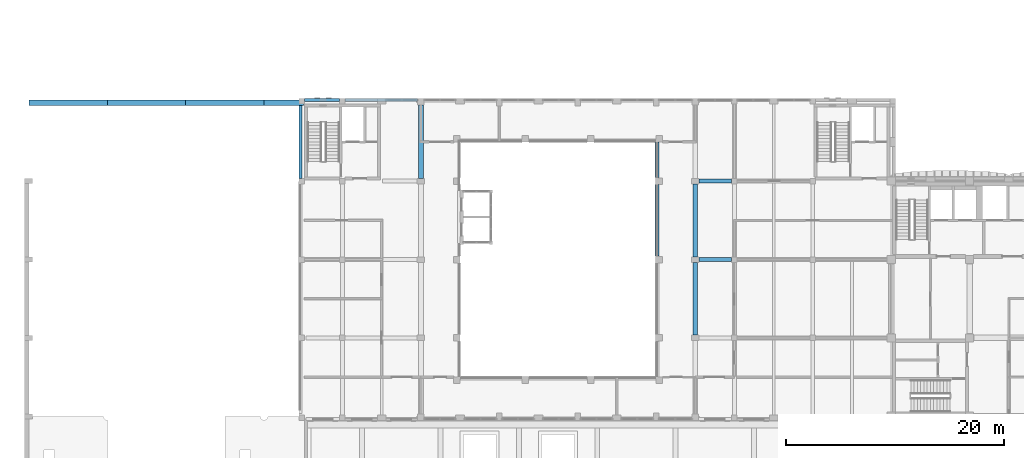
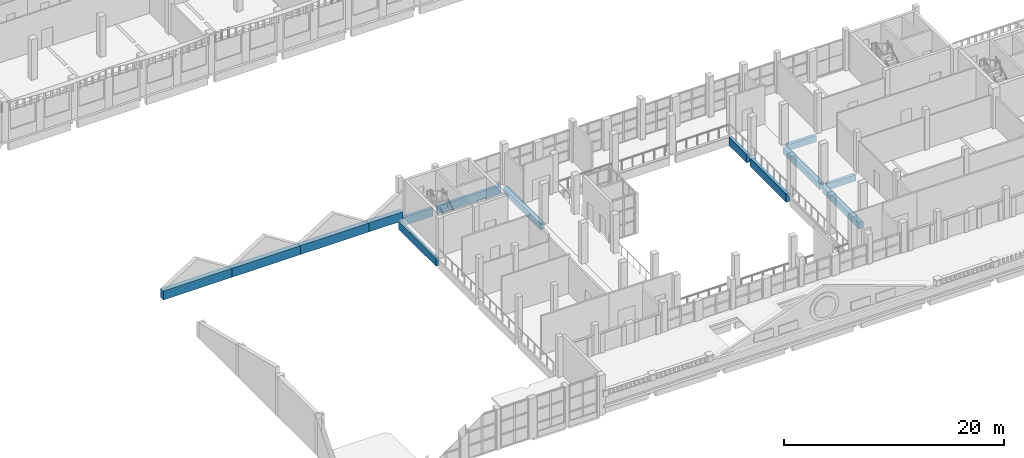
# One storey, part 9 of 58: 14 beams.
"""IFC4 building model written with IfcOpenShell, lengths in metres."""

from ifc_helpers import new_model, si_unit, direction, frame, origin, origin_2d, place, context, subcontext, project, spatial, rectangle, extrude, material, material_profile, profile_set, type_object, element, save


model = new_model("IFC4")

# Units and contexts
model_context = context("Model", 3, precision=1e-05, world=origin(), true_north=direction((0.0, 1.0)))
body_context = subcontext(model_context, "Body", "Model", "MODEL_VIEW")
ifc_project = project(units=[si_unit("LENGTHUNIT", "METRE"), si_unit("AREAUNIT", "SQUARE_METRE"), si_unit("VOLUMEUNIT", "CUBIC_METRE"), si_unit("PLANEANGLEUNIT", "RADIAN"), si_unit("MASSUNIT", "GRAM", prefix="KILO")], contexts=[model_context])

# Site, building, storey
site_placement = place(None, origin())
site = spatial("IfcSite", under=ifc_project, at=site_placement, CompositionType="ELEMENT")
building_placement = place(site_placement, origin())
building = spatial("IfcBuilding", under=site, at=building_placement, Name="Ussher Court Research Institute", CompositionType="ELEMENT")
storey_placement = place(building_placement, frame((0.0, 0.0, 9.89990234375)))
storey = spatial("IfcBuildingStorey", under=building, at=storey_placement, Name="L02", CompositionType="ELEMENT", Elevation=9.89990234375)

# Beams
ifc_material_1 = material(Name="Concrete C35/45", Category="concrete")
ifc_material_profile_1 = material_profile(ifc_material_1, rectangle(XDim=0.300048828125, YDim=0.89990234375, at=origin_2d()), Name="RC 300x900")
ifc_profile_set_1 = profile_set([ifc_material_profile_1], Name="Concrete C35/45")
beam_type_1 = type_object("IfcBeamType", Name="RC 300x900 beam", PredefinedType="BEAM", material=ifc_profile_set_1)
beam_1_placement = place(storey_placement, frame((28.300048828125, 40.25, -0.64990234375), z_axis=(1.0, 0.0, 0.0), x_axis=(0.0, 1.0, 0.0)))
element("IfcBeam", 1, at=beam_1_placement, inside=storey, type_object=beam_type_1, Name="SB2 V7 L02-06", PredefinedType="BEAM", context=body_context, shape_type="SweptSolid", body=[
    extrude(rectangle(XDim=0.300048828125, YDim=0.89990234375, at=origin_2d()), origin(), (0.0, 0.0, 1.0), 3.25),
])
beam_2_placement = place(storey_placement, frame((32.050048828125, 40.25, -0.64990234375), z_axis=(1.0, 0.0, 0.0), x_axis=(0.0, 1.0, 0.0)))
element("IfcBeam", 2, at=beam_2_placement, inside=storey, type_object=beam_type_1, Name="SB2 V7 L02-07", PredefinedType="BEAM", context=body_context, shape_type="SweptSolid", body=[
    extrude(rectangle(XDim=0.300048828125, YDim=0.89990234375, at=origin_2d()), origin(), (0.0, 0.0, 1.0), 6.64990234375),
])
beam_3_placement = place(storey_placement, frame((27.949951171875, 33.050048828125, -0.64990234375), z_axis=(0.0, 1.0, 0.0), x_axis=(-1.0, 0.0, 0.0)))
element("IfcBeam", 3, at=beam_3_placement, inside=storey, type_object=beam_type_1, Name="SB2 V7 L02-14", PredefinedType="BEAM", context=body_context, shape_type="SweptSolid", body=[
    extrude(rectangle(XDim=0.300048828125, YDim=0.89990234375, at=origin_2d()), origin(), (0.0, 0.0, 1.0), 6.849853515625),
])
ifc_material_2 = material(Name="Concrete C35/45", Category="concrete")
ifc_material_profile_2 = material_profile(ifc_material_2, rectangle(XDim=0.35009765625, YDim=0.699951171875, at=origin_2d()), Name="RC 350x700")
ifc_profile_set_2 = profile_set([ifc_material_profile_2], Name="Concrete C35/45")
beam_type_2 = type_object("IfcBeamType", Name="RC 350x700 beam", PredefinedType="BEAM", material=ifc_profile_set_2)
for number, where, z_axis, x_axis, name in (
    (4, (64.550048828125, 25.60009765625, -0.5498046875), (1.0, 0.0, 0.0), (0.0, 1.0, 0.0), "B16 V7 L02-08"),
    (5, (64.550048828125, 32.800048828125, -0.5498046875), (1.0, 0.0, 0.0), (0.0, 1.0, 0.0), "B16 V7 L02-12"),
):
    element("IfcBeam", number, at=place(storey_placement, frame(where, z_axis=z_axis, x_axis=x_axis)), inside=storey, type_object=beam_type_2, Name=name, PredefinedType="BEAM", context=body_context, shape_type="SweptSolid", body=[
        extrude(rectangle(XDim=0.35009765625, YDim=0.699951171875, at=origin_2d()), origin(), (0.0, 0.0, 1.0), 3.0),
    ])
ifc_material_3 = material(Name="Concrete C35/45", Category="concrete")
ifc_material_profile_3 = material_profile(ifc_material_3, rectangle(XDim=0.35009765625, YDim=0.89990234375, at=origin_2d()), Name="RC 350x900")
ifc_profile_set_3 = profile_set([ifc_material_profile_3], Name="Concrete C35/45")
beam_type_3 = type_object("IfcBeamType", Name="RC 350x900 beam", PredefinedType="BEAM", material=ifc_profile_set_3)
beam_4_placement = place(storey_placement, frame((60.675048828125, 25.925048828125, -0.64990234375), z_axis=(0.0, 1.0, 0.0), x_axis=(-1.0, 0.0, 0.0)))
element("IfcBeam", 6, at=beam_4_placement, inside=storey, type_object=beam_type_3, Name="SB1 V2 L02-15", PredefinedType="BEAM", context=body_context, shape_type="SweptSolid", body=[
    extrude(rectangle(XDim=0.35009765625, YDim=0.89990234375, at=origin_2d()), origin(), (0.0, 0.0, 1.0), 6.550048828125),
])
beam_5_placement = place(storey_placement, frame((60.675048828125, 33.125, -0.64990234375), z_axis=(0.0, 1.0, 0.0), x_axis=(-1.0, 0.0, 0.0)))
element("IfcBeam", 7, at=beam_5_placement, inside=storey, type_object=beam_type_3, Name="SB1 V2 L02-16", PredefinedType="BEAM", context=body_context, shape_type="SweptSolid", body=[
    extrude(rectangle(XDim=0.35009765625, YDim=0.89990234375, at=origin_2d()), origin(), (0.0, 0.0, 1.0), 3.25),
])
ifc_material_4 = material(Name="Concrete C35/45", Category="concrete")
ifc_material_profile_4 = material_profile(ifc_material_4, rectangle(XDim=0.449951171875, YDim=0.699951171875, at=origin_2d()), Name="RC 450x700")
ifc_profile_set_4 = profile_set([ifc_material_profile_4], Name="Concrete C35/45")
beam_type_4 = type_object("IfcBeamType", Name="RC 450x700 beam", PredefinedType="BEAM", material=ifc_profile_set_4)
beam_6_placement = place(storey_placement, frame((39.0, 33.050048828125, -0.5498046875), z_axis=(0.0, 1.0, 0.0), x_axis=(-1.0, 0.0, 0.0)))
element("IfcBeam", 8, at=beam_6_placement, inside=storey, type_object=beam_type_4, Name="B10 V2 L02-04", PredefinedType="BEAM", context=body_context, shape_type="SweptSolid", body=[
    extrude(rectangle(XDim=0.449951171875, YDim=0.699951171875, at=origin_2d()), origin(), (0.0, 0.0, 1.0), 6.75),
])
beam_7_placement = place(storey_placement, frame((64.199951171875, 18.64990234375, -0.5498046875), z_axis=(0.0, 1.0, 0.0), x_axis=(-1.0, 0.0, 0.0)))
element("IfcBeam", 9, at=beam_7_placement, inside=storey, type_object=beam_type_4, Name="B10 V2 L02-06", PredefinedType="BEAM", context=body_context, shape_type="SweptSolid", body=[
    extrude(rectangle(XDim=0.449951171875, YDim=0.699951171875, at=origin_2d()), origin(), (0.0, 0.0, 1.0), 6.7001953125),
])
beam_8_placement = place(storey_placement, frame((64.199951171875, 25.85009765625, -0.5498046875), z_axis=(0.0, 1.0, 0.0), x_axis=(-1.0, 0.0, 0.0)))
element("IfcBeam", 10, at=beam_8_placement, inside=storey, type_object=beam_type_4, Name="B10 V2 L02-07", PredefinedType="BEAM", context=body_context, shape_type="SweptSolid", body=[
    extrude(rectangle(XDim=0.449951171875, YDim=0.699951171875, at=origin_2d()), origin(), (0.0, 0.0, 1.0), 6.699951171875),
])
ifc_material_5 = material(Name="Concrete C35/45", Category="concrete")
ifc_material_profile_5 = material_profile(ifc_material_5, rectangle(XDim=0.5, YDim=1.0, at=origin_2d()), Name="RC 500x1000")
ifc_profile_set_5 = profile_set([ifc_material_profile_5], Name="Concrete C35/45")
beam_type_5 = type_object("IfcBeamType", Name="RC 500x1000 beam", PredefinedType="BEAM", material=ifc_profile_set_5)
for number, where, z_axis, x_axis, name in (
    (11, (3.0, 40.0, 0.2802734375), (1.0, 0.0, 0.0), (0.0, 1.0, 0.0), "B12 V1 L02-01"),
    (12, (10.199951171875, 40.0, 0.2802734375), (1.0, 0.0, 0.0), (0.0, 1.0, 0.0), "B12 V1 L02-02"),
):
    element("IfcBeam", number, at=place(storey_placement, frame(where, z_axis=z_axis, x_axis=x_axis)), inside=storey, type_object=beam_type_5, Name=name, PredefinedType="BEAM", context=body_context, shape_type="SweptSolid", body=[
        extrude(rectangle(XDim=0.5, YDim=1.0, at=origin_2d()), origin(), (0.0, 0.0, 1.0), 7.199951171875),
    ])
beam_9_placement = place(storey_placement, frame((17.39990234375, 40.0, 0.2802734375), z_axis=(1.0, 0.0, 0.0), x_axis=(0.0, 1.0, 0.0)))
element("IfcBeam", 13, at=beam_9_placement, inside=storey, type_object=beam_type_5, Name="B12 V1 L02-03", PredefinedType="BEAM", context=body_context, shape_type="SweptSolid", body=[
    extrude(rectangle(XDim=0.5, YDim=1.0, at=origin_2d()), origin(), (0.0, 0.0, 1.0), 7.2001953125),
])
beam_10_placement = place(storey_placement, frame((24.60009765625, 40.0, 0.2802734375), z_axis=(1.0, 0.0, 0.0), x_axis=(0.0, 1.0, 0.0)))
element("IfcBeam", 14, at=beam_10_placement, inside=storey, type_object=beam_type_5, Name="B12 V1 L02-04", PredefinedType="BEAM", context=body_context, shape_type="SweptSolid", body=[
    extrude(rectangle(XDim=0.5, YDim=1.0, at=origin_2d()), origin(), (0.0, 0.0, 1.0), 3.599853515625),
])

save(model, "model.ifc")
